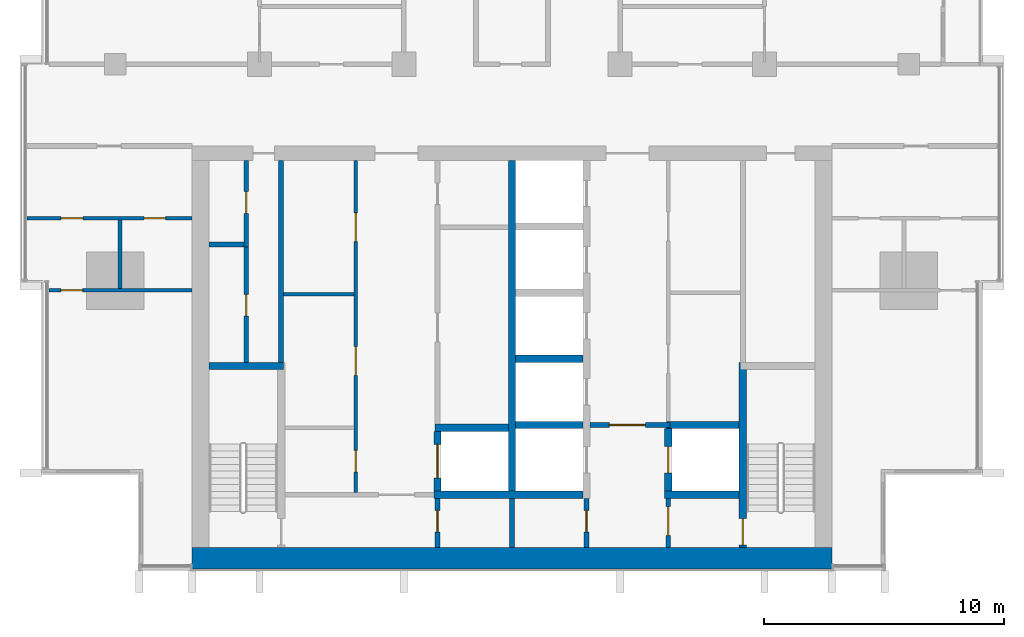
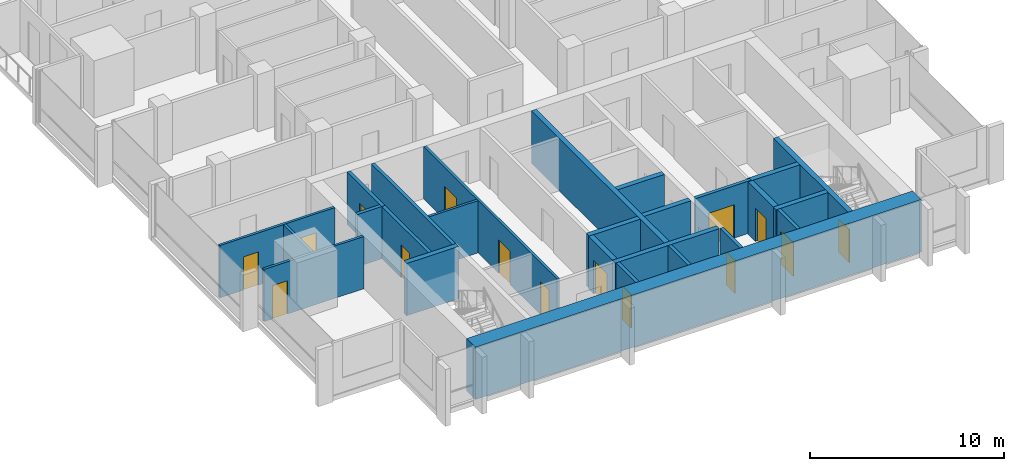
# One storey, part 7 of 16: 26 walls, 15 doors, 15 openings.
"""IFC4 building model written with IfcOpenShell, lengths in metres."""

from ifc_helpers import new_model, si_unit, direction, frame, frame_2d, origin, place, context, subcontext, project, spatial, rectangle, extrude, material, layer, layer_set, type_object, element, fill, save


model = new_model("IFC4")

# Units and contexts
model_context = context("Model", 3, precision=1e-05, world=origin(), true_north=direction((0.0, 1.0)))
body_context = subcontext(model_context, "Body", "Model", "MODEL_VIEW")
ifc_project = project(units=[si_unit("LENGTHUNIT", "METRE"), si_unit("AREAUNIT", "SQUARE_METRE"), si_unit("VOLUMEUNIT", "CUBIC_METRE"), si_unit("PLANEANGLEUNIT", "RADIAN"), si_unit("MASSUNIT", "GRAM", prefix="KILO")], contexts=[model_context])

# Site, building, storey
site_placement = place(None, origin())
site = spatial("IfcSite", under=ifc_project, at=site_placement, CompositionType="ELEMENT")
building_placement = place(site_placement, origin())
building = spatial("IfcBuilding", under=site, at=building_placement, Name="Finial Court Residences", CompositionType="ELEMENT")
storey_placement = place(building_placement, frame((0.0, 0.0, 163.699951171875)))
storey = spatial("IfcBuildingStorey", under=building, at=storey_placement, Name="L40", CompositionType="ELEMENT", Elevation=163.699951171875)

# Wall
ifc_material_1 = material(Name="Fire-rated gypsum board partition")
ifc_layer_1 = layer(ifc_material_1, 0.14990234375)
ifc_layer_set_1 = layer_set([ifc_layer_1], Name="Core room partition 150 EI 60")
wall_type_1 = type_object("IfcWallType", Name="Core room partition 150 EI 60", PredefinedType="PARTITIONING", material=ifc_layer_set_1)
wall_1_placement = place(storey_placement, frame((-9.5, -14.06005859375, 0.0), z_axis=(0.0, 0.0, 1.0), x_axis=(1.0, 0.0, 0.0)))
element("IfcWall", 1, at=wall_1_placement, inside=storey, type_object=wall_type_1, Name="Core partition L40-12", PredefinedType="PARTITIONING", context=body_context, shape_type="SweptSolid", body=[
    extrude(rectangle(XDim=2.925048828125, YDim=0.14990234375, at=frame_2d((1.46240234375, 0.0))), origin(), (0.0, 0.0, 1.0), 3.300048828125),
])

# Wall, openings, doors
wall_2_placement = place(storey_placement, frame((-6.5, -22.300048828125, 0.0), z_axis=(0.0, 0.0, 1.0), x_axis=(0.0, 1.0, 0.0)))
wall_2 = element("IfcWall", 2, at=wall_2_placement, inside=storey, type_object=wall_type_1, Name="Core partition L40-22", PredefinedType="PARTITIONING", context=body_context, shape_type="SweptSolid", body=[
    extrude(rectangle(XDim=13.800048828125, YDim=0.14990234375, at=frame_2d((6.89990234375, 0.0))), origin(), (0.0, 0.0, 1.0), 3.300048828125),
])
opening_1_placement = place(wall_2_placement, frame((0.840087890625, 0.0, 0.0)))
opening_1 = element("IfcOpeningElement", 3, at=opening_1_placement, cuts=wall_2, Name="Opening L40-C14", PredefinedType="OPENING", context=body_context, shape_type="SweptSolid", body=[
    extrude(rectangle(XDim=0.89990234375, YDim=2.10009765625, at=frame_2d((0.449951171875, 1.050048828125))), frame((0.0, 0.0849609375, 0.0), z_axis=(0.0, -1.0, 0.0), x_axis=(1.0, 0.0, 0.0)), (0.0, 0.0, 1.0), 0.169921875),
])
opening_2_placement = place(wall_2_placement, frame((4.860107421875, 0.0, 0.0)))
opening_2 = element("IfcOpeningElement", 4, at=opening_2_placement, cuts=wall_2, Name="Opening L40-C15", PredefinedType="OPENING", context=body_context, shape_type="SweptSolid", body=[
    extrude(rectangle(XDim=1.199951171875, YDim=2.10009765625, at=frame_2d((0.60009765625, 1.050048828125))), frame((0.0, 0.0849609375, 0.0), z_axis=(0.0, -1.0, 0.0), x_axis=(1.0, 0.0, 0.0)), (0.0, 0.0, 1.0), 0.169921875),
])
opening_3_placement = place(wall_2_placement, frame((10.419921875, 0.0, 0.0)))
opening_3 = element("IfcOpeningElement", 5, at=opening_3_placement, cuts=wall_2, Name="Opening L40-C16", PredefinedType="OPENING", context=body_context, shape_type="SweptSolid", body=[
    extrude(rectangle(XDim=1.199951171875, YDim=2.10009765625, at=frame_2d((0.60009765625, 1.050048828125))), frame((0.0, 0.0849609375, 0.0), z_axis=(0.0, -1.0, 0.0), x_axis=(1.0, 0.0, 0.0)), (0.0, 0.0, 1.0), 0.169921875),
])
ifc_material_2 = material(Name="Steel fire door", Category="steel")
door_type_1 = type_object("IfcDoorType", Name="Core room door 1200 x 2100 EI 60", OperationType="NOTDEFINED", PredefinedType="DOOR", material=ifc_material_2)
door_1_placement = place(opening_2_placement, origin())
door_1 = element("IfcDoor", 6, at=door_1_placement, inside=storey, type_object=door_type_1, Name="Core room door L40-C15", OperationType="SINGLE_SWING_RIGHT", OverallHeight=2.10009765625, OverallWidth=1.199951171875, PredefinedType="DOOR", context=body_context, shape_type="SweptSolid", body=[
    extrude(rectangle(XDim=1.199951171875, YDim=2.10009765625, at=frame_2d((0.60009765625, 1.050048828125))), frame((0.0, 0.02490234375, 0.0), z_axis=(0.0, -1.0, 0.0), x_axis=(1.0, 0.0, 0.0)), (0.0, 0.0, 1.0), 0.050048828125),
])
fill(opening_2, door_1)
door_2_placement = place(opening_3_placement, origin())
door_2 = element("IfcDoor", 7, at=door_2_placement, inside=storey, type_object=door_type_1, Name="Core room door L40-C16", OperationType="SINGLE_SWING_RIGHT", OverallHeight=2.10009765625, OverallWidth=1.199951171875, PredefinedType="DOOR", context=body_context, shape_type="SweptSolid", body=[
    extrude(rectangle(XDim=1.199951171875, YDim=2.10009765625, at=frame_2d((0.60009765625, 1.050048828125))), frame((0.0, 0.02490234375, 0.0), z_axis=(0.0, -1.0, 0.0), x_axis=(1.0, 0.0, 0.0)), (0.0, 0.0, 1.0), 0.050048828125),
])
fill(opening_3, door_2)
door_type_2 = type_object("IfcDoorType", Name="Core room door 900 x 2100 EI 60", OperationType="NOTDEFINED", PredefinedType="DOOR", material=ifc_material_2)
door_3_placement = place(opening_1_placement, origin())
door_3 = element("IfcDoor", 8, at=door_3_placement, inside=storey, type_object=door_type_2, Name="Core room door L40-C14", OperationType="SINGLE_SWING_LEFT", OverallHeight=2.10009765625, OverallWidth=0.89990234375, PredefinedType="DOOR", context=body_context, shape_type="SweptSolid", body=[
    extrude(rectangle(XDim=0.89990234375, YDim=2.10009765625, at=frame_2d((0.449951171875, 1.050048828125))), frame((0.0, 0.02490234375, 0.0), z_axis=(0.0, -1.0, 0.0), x_axis=(1.0, 0.0, 0.0)), (0.0, 0.0, 1.0), 0.050048828125),
])
fill(opening_1, door_3)

# Wall
ifc_material_3 = material(Name="Concrete C70/85", Category="concrete")
ifc_layer_2 = layer(ifc_material_3, 0.89990234375)
ifc_layer_set_2 = layer_set([ifc_layer_2], Name="Core south facade wall 900 Concrete C70/85")
wall_type_2 = type_object("IfcWallType", Name="Core south facade wall 900 Concrete C70/85", PredefinedType="SHEAR", material=ifc_layer_set_2)
wall_3_placement = place(storey_placement, frame((-13.300048828125, -25.050048828125, 0.0), z_axis=(0.0, 0.0, 1.0), x_axis=(1.0, 0.0, 0.0)))
element("IfcWall", 9, at=wall_3_placement, inside=storey, type_object=wall_type_2, Name="Core outer wall L40-01", PredefinedType="SHEAR", context=body_context, shape_type="SweptSolid", body=[
    extrude(rectangle(XDim=26.60009765625, YDim=0.89990234375, at=frame_2d((13.300048828125, 0.0))), origin(), (0.0, 0.0, 1.0), 3.300048828125),
])

# Wall, opening, door
ifc_layer_3 = layer(ifc_material_1, 0.199951171875)
ifc_layer_set_3 = layer_set([ifc_layer_3], Name="Firefighting lobby wall 200 EI 120")
wall_type_3 = type_object("IfcWallType", Name="Firefighting lobby wall 200 EI 120", PredefinedType="PARTITIONING", material=ifc_layer_set_3)
wall_4_placement = place(storey_placement, frame((6.574951171875, -19.5, 0.0), z_axis=(0.0, 0.0, 1.0), x_axis=(-1.0, 0.0, 0.0)))
wall_4 = element("IfcWall", 10, at=wall_4_placement, inside=storey, type_object=wall_type_3, Name="Core partition L40-07", PredefinedType="PARTITIONING", context=body_context, shape_type="SweptSolid", body=[
    extrude(rectangle(XDim=3.324951171875, YDim=0.199951171875, at=frame_2d((1.66259765625, 0.0))), origin(), (0.0, 0.0, 1.0), 3.300048828125),
])
opening_4_placement = place(wall_4_placement, frame((1.02490234375, 0.0, 0.0)))
opening_4 = element("IfcOpeningElement", 11, at=opening_4_placement, cuts=wall_4, Name="Opening L40-C02", PredefinedType="OPENING", context=body_context, shape_type="SweptSolid", body=[
    extrude(rectangle(XDim=1.5, YDim=2.10009765625, at=frame_2d((0.75, 1.050048828125))), frame((0.0, 0.10986328125, 0.0), z_axis=(0.0, -1.0, 0.0), x_axis=(1.0, 0.0, 0.0)), (0.0, 0.0, 1.0), 0.219970703125),
])
door_type_3 = type_object("IfcDoorType", Name="Firefighting lobby door 1500 x 2100 EI 90", OperationType="DOUBLE_DOOR_SINGLE_SWING", PredefinedType="DOOR", material=ifc_material_2)
door_4_placement = place(opening_4_placement, origin())
door_4 = element("IfcDoor", 12, at=door_4_placement, inside=storey, type_object=door_type_3, Name="Firefighting lobby door L40-C02", OperationType="DOUBLE_DOOR_SINGLE_SWING", OverallHeight=2.10009765625, OverallWidth=1.5, PredefinedType="DOOR", context=body_context, shape_type="SweptSolid", body=[
    extrude(rectangle(XDim=1.5, YDim=2.10009765625, at=frame_2d((0.75, 1.050048828125))), frame((0.0, 0.02490234375, 0.0), z_axis=(0.0, -1.0, 0.0), x_axis=(1.0, 0.0, 0.0)), (0.0, 0.0, 1.0), 0.050048828125),
])
fill(opening_4, door_4)

wall_5_placement = place(storey_placement, frame((3.10009765625, -24.60009765625, 0.0), z_axis=(0.0, 0.0, 1.0), x_axis=(0.0, 1.0, 0.0)))
wall_5 = element("IfcWall", 13, at=wall_5_placement, inside=storey, type_object=wall_type_3, Name="Core partition L40-28", PredefinedType="PARTITIONING", context=body_context, shape_type="SweptSolid", body=[
    extrude(rectangle(XDim=2.050048828125, YDim=0.199951171875, at=frame_2d((1.02490234375, 0.0))), origin(), (0.0, 0.0, 1.0), 3.300048828125),
])
opening_5_placement = place(wall_5_placement, frame((0.64990234375, 0.0, 0.0)))
opening_5 = element("IfcOpeningElement", 14, at=opening_5_placement, cuts=wall_5, Name="Opening L40-C06", PredefinedType="OPENING", context=body_context, shape_type="SweptSolid", body=[
    extrude(rectangle(XDim=0.89990234375, YDim=2.10009765625, at=frame_2d((0.449951171875, 1.050048828125))), frame((0.0, 0.10986328125, 0.0), z_axis=(0.0, -1.0, 0.0), x_axis=(1.0, 0.0, 0.0)), (0.0, 0.0, 1.0), 0.219970703125),
])
door_type_4 = type_object("IfcDoorType", Name="Riser room door 900 x 2100 EI 90", OperationType="NOTDEFINED", PredefinedType="DOOR", material=ifc_material_2)
door_5_placement = place(opening_5_placement, origin())
door_5 = element("IfcDoor", 15, at=door_5_placement, inside=storey, type_object=door_type_4, Name="Riser room door L40-C06", OperationType="SINGLE_SWING_LEFT", OverallHeight=2.10009765625, OverallWidth=0.89990234375, PredefinedType="DOOR", context=body_context, shape_type="SweptSolid", body=[
    extrude(rectangle(XDim=0.89990234375, YDim=2.10009765625, at=frame_2d((0.449951171875, 1.050048828125))), frame((0.0, 0.02490234375, 0.0), z_axis=(0.0, -1.0, 0.0), x_axis=(1.0, 0.0, 0.0)), (0.0, 0.0, 1.0), 0.050048828125),
])
fill(opening_5, door_5)

wall_6_placement = place(storey_placement, frame((6.5, -22.550048828125, 0.0), z_axis=(0.0, 0.0, 1.0), x_axis=(0.0, -1.0, 0.0)))
wall_6 = element("IfcWall", 16, at=wall_6_placement, inside=storey, type_object=wall_type_3, Name="Core partition L40-30", PredefinedType="PARTITIONING", context=body_context, shape_type="SweptSolid", body=[
    extrude(rectangle(XDim=2.050048828125, YDim=0.199951171875, at=frame_2d((1.02490234375, 0.0))), origin(), (0.0, 0.0, 1.0), 3.300048828125),
])
opening_6_placement = place(wall_6_placement, frame((0.35009765625, 0.0, 0.0)))
opening_6 = element("IfcOpeningElement", 17, at=opening_6_placement, cuts=wall_6, Name="Opening L40-C01", PredefinedType="OPENING", context=body_context, shape_type="SweptSolid", body=[
    extrude(rectangle(XDim=1.199951171875, YDim=2.10009765625, at=frame_2d((0.60009765625, 1.050048828125))), frame((0.0, 0.10986328125, 0.0), z_axis=(0.0, -1.0, 0.0), x_axis=(1.0, 0.0, 0.0)), (0.0, 0.0, 1.0), 0.219970703125),
])
door_type_5 = type_object("IfcDoorType", Name="Firefighting lobby door 1200 x 2100 EI 90", OperationType="NOTDEFINED", PredefinedType="DOOR", material=ifc_material_2)
door_6_placement = place(opening_6_placement, origin())
door_6 = element("IfcDoor", 18, at=door_6_placement, inside=storey, type_object=door_type_5, Name="Firefighting lobby door L40-C01", OperationType="SINGLE_SWING_RIGHT", OverallHeight=2.10009765625, OverallWidth=1.199951171875, PredefinedType="DOOR", context=body_context, shape_type="SweptSolid", body=[
    extrude(rectangle(XDim=1.199951171875, YDim=2.10009765625, at=frame_2d((0.60009765625, 1.050048828125))), frame((0.0, 0.02490234375, 0.0), z_axis=(0.0, -1.0, 0.0), x_axis=(1.0, 0.0, 0.0)), (0.0, 0.0, 1.0), 0.050048828125),
])
fill(opening_6, door_6)

ifc_material_4 = material(Name="Moisture-resistant gypsum board")
ifc_layer_4 = layer(ifc_material_4, 0.012451171875)
ifc_material_5 = material(Name="Mineral wool in light-gauge frame")
ifc_layer_5 = layer(ifc_material_5, 0.125)
ifc_layer_6 = layer(ifc_material_4, 0.012451171875)
ifc_layer_set_4 = layer_set([ifc_layer_4, ifc_layer_5, ifc_layer_6], Name="Gypsum board wet-area partition 150")
wall_type_4 = type_object("IfcWallType", Name="Gypsum board wet-area partition 150", PredefinedType="PARTITIONING", material=ifc_layer_set_4)
wall_7_placement = place(storey_placement, frame((-19.262451171875, -13.89990234375, 0.0), z_axis=(0.0, 0.0, 1.0), x_axis=(1.0, 0.0, 0.0)))
wall_7 = element("IfcWall", 19, at=wall_7_placement, inside=storey, type_object=wall_type_4, Name="Partition L40-000", PredefinedType="PARTITIONING", context=body_context, shape_type="SweptSolid", body=[
    extrude(rectangle(XDim=5.96240234375, YDim=0.14990234375, at=frame_2d((2.981201171875, 0.0))), origin(), (0.0, 0.0, 1.0), 3.300048828125),
])
opening_7_placement = place(wall_7_placement, frame((0.511962890625, 0.0, 0.0)))
opening_7 = element("IfcOpeningElement", 20, at=opening_7_placement, cuts=wall_7, Name="Opening L40-D001", PredefinedType="OPENING", context=body_context, shape_type="SweptSolid", body=[
    extrude(rectangle(XDim=0.89990234375, YDim=2.10009765625, at=frame_2d((0.449951171875, 1.050048828125))), frame((0.0, 0.0849609375, 0.0), z_axis=(0.0, -1.0, 0.0), x_axis=(1.0, 0.0, 0.0)), (0.0, 0.0, 1.0), 0.169921875),
])
ifc_material_6 = material(Name="Timber door leaf in timber frame", Category="wood")
door_type_6 = type_object("IfcDoorType", Name="Door set 900 x 2100", OperationType="SINGLE_SWING_LEFT", PredefinedType="DOOR", material=ifc_material_6)
door_7_placement = place(opening_7_placement, origin())
door_7 = element("IfcDoor", 21, at=door_7_placement, inside=storey, type_object=door_type_6, Name="Door L40-D001", OperationType="SINGLE_SWING_LEFT", OverallHeight=2.10009765625, OverallWidth=0.89990234375, PredefinedType="DOOR", context=body_context, shape_type="SweptSolid", body=[
    extrude(rectangle(XDim=0.89990234375, YDim=2.10009765625, at=frame_2d((0.449951171875, 1.050048828125))), frame((0.0, 0.02490234375, 0.0), z_axis=(0.0, -1.0, 0.0), x_axis=(1.0, 0.0, 0.0)), (0.0, 0.0, 1.0), 0.050048828125),
])
fill(opening_7, door_7)

# Wall, openings, doors
wall_8_placement = place(storey_placement, frame((-20.16259765625, -10.89990234375, 0.0), z_axis=(0.0, 0.0, 1.0), x_axis=(1.0, 0.0, 0.0)))
wall_8 = element("IfcWall", 22, at=wall_8_placement, inside=storey, type_object=wall_type_4, Name="Partition L40-002", PredefinedType="PARTITIONING", context=body_context, shape_type="SweptSolid", body=[
    extrude(rectangle(XDim=6.862548828125, YDim=0.14990234375, at=frame_2d((3.43115234375, 0.0))), origin(), (0.0, 0.0, 1.0), 3.300048828125),
])
opening_8_placement = place(wall_8_placement, frame((1.4130859375, 0.0, 0.0)))
opening_8 = element("IfcOpeningElement", 23, at=opening_8_placement, cuts=wall_8, Name="Opening L40-D003", PredefinedType="OPENING", context=body_context, shape_type="SweptSolid", body=[
    extrude(rectangle(XDim=0.89990234375, YDim=2.10009765625, at=frame_2d((0.449951171875, 1.050048828125))), frame((0.0, 0.0849609375, 0.0), z_axis=(0.0, -1.0, 0.0), x_axis=(1.0, 0.0, 0.0)), (0.0, 0.0, 1.0), 0.169921875),
])
opening_9_placement = place(wall_8_placement, frame((4.863037109375, 0.0, 0.0)))
opening_9 = element("IfcOpeningElement", 24, at=opening_9_placement, cuts=wall_8, Name="Opening L40-D004", PredefinedType="OPENING", context=body_context, shape_type="SweptSolid", body=[
    extrude(rectangle(XDim=0.89990234375, YDim=2.10009765625, at=frame_2d((0.449951171875, 1.050048828125))), frame((0.0, 0.0849609375, 0.0), z_axis=(0.0, -1.0, 0.0), x_axis=(1.0, 0.0, 0.0)), (0.0, 0.0, 1.0), 0.169921875),
])
door_8_placement = place(opening_8_placement, origin())
door_8 = element("IfcDoor", 25, at=door_8_placement, inside=storey, type_object=door_type_6, Name="Door L40-D003", OperationType="SINGLE_SWING_LEFT", OverallHeight=2.10009765625, OverallWidth=0.89990234375, PredefinedType="DOOR", context=body_context, shape_type="SweptSolid", body=[
    extrude(rectangle(XDim=0.89990234375, YDim=2.10009765625, at=frame_2d((0.449951171875, 1.050048828125))), frame((0.0, 0.02490234375, 0.0), z_axis=(0.0, -1.0, 0.0), x_axis=(1.0, 0.0, 0.0)), (0.0, 0.0, 1.0), 0.050048828125),
])
fill(opening_8, door_8)
door_9_placement = place(opening_9_placement, origin())
door_9 = element("IfcDoor", 26, at=door_9_placement, inside=storey, type_object=door_type_6, Name="Door L40-D004", OperationType="SINGLE_SWING_RIGHT", OverallHeight=2.10009765625, OverallWidth=0.89990234375, PredefinedType="DOOR", context=body_context, shape_type="SweptSolid", body=[
    extrude(rectangle(XDim=0.89990234375, YDim=2.10009765625, at=frame_2d((0.449951171875, 1.050048828125))), frame((0.0, 0.02490234375, 0.0), z_axis=(0.0, -1.0, 0.0), x_axis=(1.0, 0.0, 0.0)), (0.0, 0.0, 1.0), 0.050048828125),
])
fill(opening_9, door_9)

# Walls
wall_9_placement = place(storey_placement, frame((-16.300048828125, -13.824951171875, 0.0), z_axis=(0.0, 0.0, 1.0), x_axis=(0.0, 1.0, 0.0)))
element("IfcWall", 27, at=wall_9_placement, inside=storey, type_object=wall_type_4, Name="Partition L40-034", PredefinedType="PARTITIONING", context=body_context, shape_type="SweptSolid", body=[
    extrude(rectangle(XDim=2.849853515625, YDim=0.14990234375, at=frame_2d((1.4248046875, 0.0))), origin(), (0.0, 0.0, 1.0), 3.300048828125),
])
ifc_layer_7 = layer(ifc_material_3, 0.300048828125)
ifc_layer_set_5 = layer_set([ifc_layer_7], Name="Lift shaft and stair wall 300 Concrete C70/85")
wall_type_5 = type_object("IfcWallType", Name="Lift shaft and stair wall 300 Concrete C70/85", PredefinedType="SHEAR", material=ifc_layer_set_5)
wall_10_placement = place(storey_placement, frame((-3.25, -22.39990234375, 0.0), z_axis=(0.0, 0.0, 1.0), x_axis=(1.0, 0.0, 0.0)))
element("IfcWall", 28, at=wall_10_placement, inside=storey, type_object=wall_type_5, Name="Core wall L40-02", PredefinedType="SHEAR", context=body_context, shape_type="SweptSolid", body=[
    extrude(rectangle(XDim=6.199951171875, YDim=0.300048828125, at=frame_2d((3.10009765625, 0.0))), origin(), (0.0, 0.0, 1.0), 3.300048828125),
])
wall_11_placement = place(storey_placement, frame((6.35009765625, -22.39990234375, 0.0), z_axis=(0.0, 0.0, 1.0), x_axis=(1.0, 0.0, 0.0)))
element("IfcWall", 29, at=wall_11_placement, inside=storey, type_object=wall_type_5, Name="Core wall L40-03", PredefinedType="SHEAR", context=body_context, shape_type="SweptSolid", body=[
    extrude(rectangle(XDim=3.099853515625, YDim=0.300048828125, at=frame_2d((1.5498046875, 0.0))), origin(), (0.0, 0.0, 1.0), 3.300048828125),
])
wall_12_placement = place(storey_placement, frame((-3.199951171875, -19.6201171875, 0.0), z_axis=(0.0, 0.0, 1.0), x_axis=(1.0, 0.0, 0.0)))
element("IfcWall", 30, at=wall_12_placement, inside=storey, type_object=wall_type_5, Name="Core wall L40-05", PredefinedType="SHEAR", context=body_context, shape_type="SweptSolid", body=[
    extrude(rectangle(XDim=3.050048828125, YDim=0.300048828125, at=frame_2d((1.52490234375, 0.0))), origin(), (0.0, 0.0, 1.0), 3.300048828125),
])
wall_13_placement = place(storey_placement, frame((0.14990234375, -19.5, 0.0), z_axis=(0.0, 0.0, 1.0), x_axis=(1.0, 0.0, 0.0)))
element("IfcWall", 31, at=wall_13_placement, inside=storey, type_object=wall_type_5, Name="Core wall L40-06", PredefinedType="SHEAR", context=body_context, shape_type="SweptSolid", body=[
    extrude(rectangle(XDim=2.800048828125, YDim=0.300048828125, at=frame_2d((1.39990234375, 0.0))), origin(), (0.0, 0.0, 1.0), 3.300048828125),
])
wall_14_placement = place(storey_placement, frame((6.425048828125, -19.5, 0.0), z_axis=(0.0, 0.0, 1.0), x_axis=(1.0, 0.0, 0.0)))
element("IfcWall", 32, at=wall_14_placement, inside=storey, type_object=wall_type_5, Name="Core wall L40-08", PredefinedType="SHEAR", context=body_context, shape_type="SweptSolid", body=[
    extrude(rectangle(XDim=3.02490234375, YDim=0.300048828125, at=frame_2d((1.512451171875, 0.0))), origin(), (0.0, 0.0, 1.0), 3.300048828125),
])
wall_15_placement = place(storey_placement, frame((-12.60009765625, -17.050048828125, 0.0), z_axis=(0.0, 0.0, 1.0), x_axis=(1.0, 0.0, 0.0)))
element("IfcWall", 33, at=wall_15_placement, inside=storey, type_object=wall_type_5, Name="Core wall L40-09", PredefinedType="SHEAR", context=body_context, shape_type="SweptSolid", body=[
    extrude(rectangle(XDim=3.10009765625, YDim=0.300048828125, at=frame_2d((1.550048828125, 0.0))), origin(), (0.0, 0.0, 1.0), 3.300048828125),
])
wall_16_placement = place(storey_placement, frame((0.14990234375, -16.75, 0.0), z_axis=(0.0, 0.0, 1.0), x_axis=(1.0, 0.0, 0.0)))
element("IfcWall", 34, at=wall_16_placement, inside=storey, type_object=wall_type_5, Name="Core wall L40-11", PredefinedType="SHEAR", context=body_context, shape_type="SweptSolid", body=[
    extrude(rectangle(XDim=2.800048828125, YDim=0.300048828125, at=frame_2d((1.39990234375, 0.0))), origin(), (0.0, 0.0, 1.0), 3.300048828125),
])

# Wall, opening, door
wall_17_placement = place(storey_placement, frame((-3.10009765625, -22.25, 0.0), z_axis=(0.0, 0.0, 1.0), x_axis=(0.0, 1.0, 0.0)))
wall_17 = element("IfcWall", 35, at=wall_17_placement, inside=storey, type_object=wall_type_5, Name="Core wall L40-24", PredefinedType="SHEAR", context=body_context, shape_type="SweptSolid", body=[
    extrude(rectangle(XDim=2.47998046875, YDim=0.300048828125, at=frame_2d((1.239990234375, 0.0))), origin(), (0.0, 0.0, 1.0), 3.300048828125),
])
opening_10_placement = place(wall_17_placement, frame((0.5400390625, 0.0, 0.0)))
opening_10 = element("IfcOpeningElement", 36, at=opening_10_placement, cuts=wall_17, Name="Opening L40-LD07", PredefinedType="OPENING", context=body_context, shape_type="SweptSolid", body=[
    extrude(rectangle(XDim=1.39990234375, YDim=2.10009765625, at=frame_2d((0.699951171875, 1.050048828125))), frame((0.0, 0.159912109375, 0.0), z_axis=(0.0, -1.0, 0.0), x_axis=(1.0, 0.0, 0.0)), (0.0, 0.0, 1.0), 0.320068359375),
])
ifc_material_7 = material(Name="Stainless steel lift door", Category="steel")
door_type_7 = type_object("IfcDoorType", Name="Lift landing door 1400 x 2100 EI 90", OperationType="DOUBLE_DOOR_SLIDING", PredefinedType="DOOR", material=ifc_material_7)
door_10_placement = place(opening_10_placement, origin())
door_10 = element("IfcDoor", 37, at=door_10_placement, inside=storey, type_object=door_type_7, Name="Lift landing door SV1 L40", OperationType="DOUBLE_DOOR_SLIDING", OverallHeight=2.10009765625, OverallWidth=1.39990234375, PredefinedType="DOOR", context=body_context, shape_type="SweptSolid", body=[
    extrude(rectangle(XDim=1.39990234375, YDim=2.10009765625, at=frame_2d((0.699951171875, 1.050048828125))), frame((0.0, 0.02490234375, 0.0), z_axis=(0.0, -1.0, 0.0), x_axis=(1.0, 0.0, 0.0)), (0.0, 0.0, 1.0), 0.050048828125),
])
fill(opening_10, door_10)

# Wall
wall_18_placement = place(storey_placement, frame((0.0, -22.25, 0.0), z_axis=(0.0, 0.0, 1.0), x_axis=(0.0, 1.0, 0.0)))
element("IfcWall", 38, at=wall_18_placement, inside=storey, type_object=wall_type_5, Name="Core wall L40-27", PredefinedType="SHEAR", context=body_context, shape_type="SweptSolid", body=[
    extrude(rectangle(XDim=13.75, YDim=0.300048828125, at=frame_2d((6.875, 0.0))), origin(), (0.0, 0.0, 1.0), 3.300048828125),
])

# Wall, opening, door
wall_19_placement = place(storey_placement, frame((6.5, -22.25, 0.0), z_axis=(0.0, 0.0, 1.0), x_axis=(0.0, 1.0, 0.0)))
wall_19 = element("IfcWall", 39, at=wall_19_placement, inside=storey, type_object=wall_type_5, Name="Core wall L40-31", PredefinedType="SHEAR", context=body_context, shape_type="SweptSolid", body=[
    extrude(rectangle(XDim=2.60009765625, YDim=0.300048828125, at=frame_2d((1.300048828125, 0.0))), origin(), (0.0, 0.0, 1.0), 3.300048828125),
])
opening_11_placement = place(wall_19_placement, frame((0.75, 0.0, 0.0)))
opening_11 = element("IfcOpeningElement", 40, at=opening_11_placement, cuts=wall_19, Name="Opening L40-LD02", PredefinedType="OPENING", context=body_context, shape_type="SweptSolid", body=[
    extrude(rectangle(XDim=1.10009765625, YDim=2.10009765625, at=frame_2d((0.550048828125, 1.050048828125))), frame((0.0, 0.159912109375, 0.0), z_axis=(0.0, -1.0, 0.0), x_axis=(1.0, 0.0, 0.0)), (0.0, 0.0, 1.0), 0.320068359375),
])
door_type_8 = type_object("IfcDoorType", Name="Lift landing door 1100 x 2100 EI 90", OperationType="DOUBLE_DOOR_SLIDING", PredefinedType="DOOR", material=ifc_material_7)
door_11_placement = place(opening_11_placement, origin())
door_11 = element("IfcDoor", 41, at=door_11_placement, inside=storey, type_object=door_type_8, Name="Lift landing door FF2 L40", OperationType="DOUBLE_DOOR_SLIDING", OverallHeight=2.10009765625, OverallWidth=1.10009765625, PredefinedType="DOOR", context=body_context, shape_type="SweptSolid", body=[
    extrude(rectangle(XDim=1.10009765625, YDim=2.10009765625, at=frame_2d((0.550048828125, 1.050048828125))), frame((0.0, 0.02490234375, 0.0), z_axis=(0.0, -1.0, 0.0), x_axis=(1.0, 0.0, 0.0)), (0.0, 0.0, 1.0), 0.050048828125),
])
fill(opening_11, door_11)

wall_20_placement = place(storey_placement, frame((9.60009765625, -16.89990234375, 0.0), z_axis=(0.0, 0.0, 1.0), x_axis=(0.0, -1.0, 0.0)))
wall_20 = element("IfcWall", 42, at=wall_20_placement, inside=storey, type_object=wall_type_5, Name="Core wall L40-33", PredefinedType="SHEAR", context=body_context, shape_type="SweptSolid", body=[
    extrude(rectangle(XDim=7.7001953125, YDim=0.300048828125, at=frame_2d((3.85009765625, 0.0))), origin(), (0.0, 0.0, 1.0), 3.300048828125),
])
opening_12_placement = place(wall_20_placement, frame((6.5, 0.0, 0.0)))
opening_12 = element("IfcOpeningElement", 43, at=opening_12_placement, cuts=wall_20, Name="Opening L40-C20", PredefinedType="OPENING", context=body_context, shape_type="SweptSolid", body=[
    extrude(rectangle(XDim=1.10009765625, YDim=2.10009765625, at=frame_2d((0.550048828125, 1.050048828125))), frame((0.0, 0.159912109375, 0.0), z_axis=(0.0, -1.0, 0.0), x_axis=(1.0, 0.0, 0.0)), (0.0, 0.0, 1.0), 0.320068359375),
])
door_type_9 = type_object("IfcDoorType", Name="Stair door 1100 x 2100 EI 90", OperationType="NOTDEFINED", PredefinedType="DOOR", material=ifc_material_2)
door_12_placement = place(opening_12_placement, origin())
door_12 = element("IfcDoor", 44, at=door_12_placement, inside=storey, type_object=door_type_9, Name="Stair door L40-C20", OperationType="SINGLE_SWING_RIGHT", OverallHeight=2.10009765625, OverallWidth=1.10009765625, PredefinedType="DOOR", context=body_context, shape_type="SweptSolid", body=[
    extrude(rectangle(XDim=1.10009765625, YDim=2.10009765625, at=frame_2d((0.550048828125, 1.050048828125))), frame((0.0, 0.02490234375, 0.0), z_axis=(0.0, -1.0, 0.0), x_axis=(1.0, 0.0, 0.0)), (0.0, 0.0, 1.0), 0.050048828125),
])
fill(opening_12, door_12)

# Wall
ifc_layer_8 = layer(ifc_material_1, 0.199951171875)
ifc_layer_set_6 = layer_set([ifc_layer_8], Name="Riser room wall 200 EI 120")
wall_type_6 = type_object("IfcWallType", Name="Riser room wall 200 EI 120", PredefinedType="PARTITIONING", material=ifc_layer_set_6)
wall_21_placement = place(storey_placement, frame((-12.60009765625, -12.0, 0.0), z_axis=(0.0, 0.0, 1.0), x_axis=(1.0, 0.0, 0.0)))
element("IfcWall", 45, at=wall_21_placement, inside=storey, type_object=wall_type_6, Name="Core partition L40-15", PredefinedType="PARTITIONING", context=body_context, shape_type="SweptSolid", body=[
    extrude(rectangle(XDim=1.4501953125, YDim=0.199951171875, at=frame_2d((0.72509765625, 0.0))), origin(), (0.0, 0.0, 1.0), 3.300048828125),
])

# Wall, opening, door
wall_22_placement = place(storey_placement, frame((-11.050048828125, -12.10009765625, 0.0), z_axis=(0.0, 0.0, 1.0), x_axis=(0.0, 1.0, 0.0)))
wall_22 = element("IfcWall", 46, at=wall_22_placement, inside=storey, type_object=wall_type_6, Name="Core partition L40-19", PredefinedType="PARTITIONING", context=body_context, shape_type="SweptSolid", body=[
    extrude(rectangle(XDim=3.60009765625, YDim=0.199951171875, at=frame_2d((1.800048828125, 0.0))), origin(), (0.0, 0.0, 1.0), 3.300048828125),
])
opening_13_placement = place(wall_22_placement, frame((1.39990234375, 0.0, 0.0)))
opening_13 = element("IfcOpeningElement", 47, at=opening_13_placement, cuts=wall_22, Name="Opening L40-C07", PredefinedType="OPENING", context=body_context, shape_type="SweptSolid", body=[
    extrude(rectangle(XDim=0.89990234375, YDim=2.10009765625, at=frame_2d((0.449951171875, 1.050048828125))), frame((0.0, 0.10986328125, 0.0), z_axis=(0.0, -1.0, 0.0), x_axis=(1.0, 0.0, 0.0)), (0.0, 0.0, 1.0), 0.219970703125),
])
door_13_placement = place(opening_13_placement, origin())
door_13 = element("IfcDoor", 48, at=door_13_placement, inside=storey, type_object=door_type_4, Name="Riser room door L40-C07", OperationType="SINGLE_SWING_LEFT", OverallHeight=2.10009765625, OverallWidth=0.89990234375, PredefinedType="DOOR", context=body_context, shape_type="SweptSolid", body=[
    extrude(rectangle(XDim=0.89990234375, YDim=2.10009765625, at=frame_2d((0.449951171875, 1.050048828125))), frame((0.0, 0.02490234375, 0.0), z_axis=(0.0, -1.0, 0.0), x_axis=(1.0, 0.0, 0.0)), (0.0, 0.0, 1.0), 0.050048828125),
])
fill(opening_13, door_13)

# Wall
wall_23_placement = place(storey_placement, frame((0.0, -24.60009765625, 0.0), z_axis=(0.0, 0.0, 1.0), x_axis=(0.0, 1.0, 0.0)))
element("IfcWall", 49, at=wall_23_placement, inside=storey, type_object=wall_type_6, Name="Core partition L40-26", PredefinedType="PARTITIONING", context=body_context, shape_type="SweptSolid", body=[
    extrude(rectangle(XDim=2.050048828125, YDim=0.199951171875, at=frame_2d((1.02490234375, 0.0))), origin(), (0.0, 0.0, 1.0), 3.300048828125),
])

# Wall, opening, door
ifc_layer_9 = layer(ifc_material_1, 0.199951171875)
ifc_layer_set_7 = layer_set([ifc_layer_9], Name="Stair passage wall 200 EI 180")
wall_type_7 = type_object("IfcWallType", Name="Stair passage wall 200 EI 180", PredefinedType="PARTITIONING", material=ifc_layer_set_7)
wall_24_placement = place(storey_placement, frame((-11.050048828125, -16.89990234375, 0.0), z_axis=(0.0, 0.0, 1.0), x_axis=(0.0, 1.0, 0.0)))
wall_24 = element("IfcWall", 50, at=wall_24_placement, inside=storey, type_object=wall_type_7, Name="Core partition L40-18", PredefinedType="PARTITIONING", context=body_context, shape_type="SweptSolid", body=[
    extrude(rectangle(XDim=5.0, YDim=0.199951171875, at=frame_2d((2.5, 0.0))), origin(), (0.0, 0.0, 1.0), 3.300048828125),
])
opening_14_placement = place(wall_24_placement, frame((1.925048828125, 0.0, 0.0)))
opening_14 = element("IfcOpeningElement", 51, at=opening_14_placement, cuts=wall_24, Name="Opening L40-C13", PredefinedType="OPENING", context=body_context, shape_type="SweptSolid", body=[
    extrude(rectangle(XDim=0.89990234375, YDim=2.10009765625, at=frame_2d((0.449951171875, 1.050048828125))), frame((0.0, 0.10986328125, 0.0), z_axis=(0.0, -1.0, 0.0), x_axis=(1.0, 0.0, 0.0)), (0.0, 0.0, 1.0), 0.219970703125),
])
door_14_placement = place(opening_14_placement, origin())
door_14 = element("IfcDoor", 52, at=door_14_placement, inside=storey, type_object=door_type_2, Name="Core room door L40-C13", OperationType="SINGLE_SWING_LEFT", OverallHeight=2.10009765625, OverallWidth=0.89990234375, PredefinedType="DOOR", context=body_context, shape_type="SweptSolid", body=[
    extrude(rectangle(XDim=0.89990234375, YDim=2.10009765625, at=frame_2d((0.449951171875, 1.050048828125))), frame((0.0, 0.02490234375, 0.0), z_axis=(0.0, -1.0, 0.0), x_axis=(1.0, 0.0, 0.0)), (0.0, 0.0, 1.0), 0.050048828125),
])
fill(opening_14, door_14)

# Wall
wall_25_placement = place(storey_placement, frame((-9.60009765625, -16.89990234375, 0.0), z_axis=(0.0, 0.0, 1.0), x_axis=(0.0, 1.0, 0.0)))
element("IfcWall", 53, at=wall_25_placement, inside=storey, type_object=wall_type_7, Name="Core partition L40-21", PredefinedType="PARTITIONING", context=body_context, shape_type="SweptSolid", body=[
    extrude(rectangle(XDim=8.39990234375, YDim=0.199951171875, at=frame_2d((4.199951171875, 0.0))), origin(), (0.0, 0.0, 1.0), 3.300048828125),
])

# Wall, opening, door
wall_26_placement = place(storey_placement, frame((-3.10009765625, -22.550048828125, 0.0), z_axis=(0.0, 0.0, 1.0), x_axis=(0.0, -1.0, 0.0)))
wall_26 = element("IfcWall", 54, at=wall_26_placement, inside=storey, type_object=wall_type_7, Name="Core partition L40-23", PredefinedType="PARTITIONING", context=body_context, shape_type="SweptSolid", body=[
    extrude(rectangle(XDim=2.050048828125, YDim=0.199951171875, at=frame_2d((1.02490234375, 0.0))), origin(), (0.0, 0.0, 1.0), 3.300048828125),
])
opening_15_placement = place(wall_26_placement, frame((0.5, 0.0, 0.0)))
opening_15 = element("IfcOpeningElement", 55, at=opening_15_placement, cuts=wall_26, Name="Opening L40-C12", PredefinedType="OPENING", context=body_context, shape_type="SweptSolid", body=[
    extrude(rectangle(XDim=0.89990234375, YDim=2.10009765625, at=frame_2d((0.449951171875, 1.050048828125))), frame((0.0, 0.10986328125, 0.0), z_axis=(0.0, -1.0, 0.0), x_axis=(1.0, 0.0, 0.0)), (0.0, 0.0, 1.0), 0.219970703125),
])
door_15_placement = place(opening_15_placement, origin())
door_15 = element("IfcDoor", 56, at=door_15_placement, inside=storey, type_object=door_type_2, Name="Core room door L40-C12", OperationType="SINGLE_SWING_RIGHT", OverallHeight=2.10009765625, OverallWidth=0.89990234375, PredefinedType="DOOR", context=body_context, shape_type="SweptSolid", body=[
    extrude(rectangle(XDim=0.89990234375, YDim=2.10009765625, at=frame_2d((0.449951171875, 1.050048828125))), frame((0.0, 0.02490234375, 0.0), z_axis=(0.0, -1.0, 0.0), x_axis=(1.0, 0.0, 0.0)), (0.0, 0.0, 1.0), 0.050048828125),
])
fill(opening_15, door_15)

save(model, "model.ifc")
